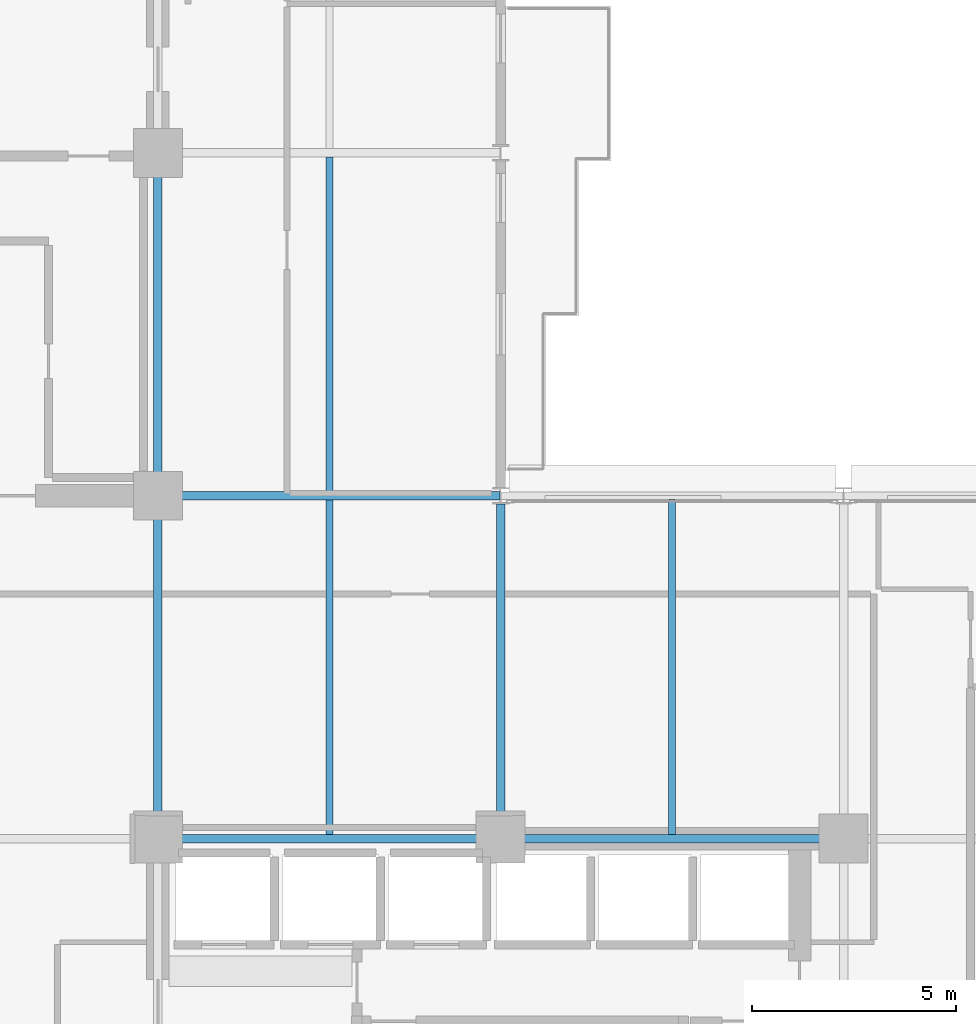
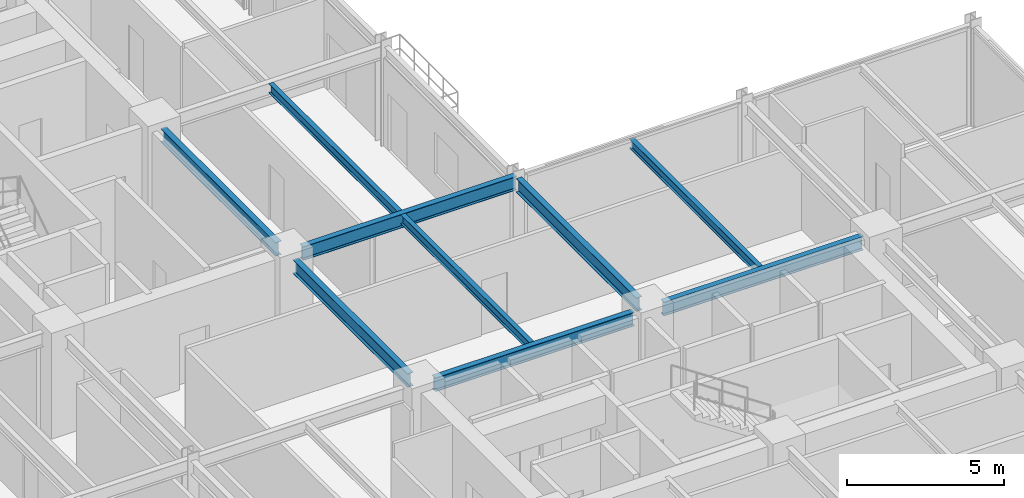
# One storey, part 11 of 30: 9 beams.
"""IFC4 building model written with IfcOpenShell, lengths in metres."""

from ifc_helpers import new_model, si_unit, direction, frame, origin, origin_2d, place, context, subcontext, project, spatial, i_section, extrude, material, material_profile, profile_set, type_object, element, save


model = new_model("IFC4")

# Units and contexts
model_context = context("Model", 3, precision=1e-05, world=origin(), true_north=direction((0.0, 1.0)))
body_context = subcontext(model_context, "Body", "Model", "MODEL_VIEW")
ifc_project = project(units=[si_unit("LENGTHUNIT", "METRE"), si_unit("AREAUNIT", "SQUARE_METRE"), si_unit("VOLUMEUNIT", "CUBIC_METRE"), si_unit("PLANEANGLEUNIT", "RADIAN"), si_unit("MASSUNIT", "GRAM", prefix="KILO")], contexts=[model_context])

# Site, building, storey
site_placement = place(None, origin())
site = spatial("IfcSite", under=ifc_project, at=site_placement, CompositionType="ELEMENT")
building_placement = place(site_placement, origin())
building = spatial("IfcBuilding", under=site, at=building_placement, Name="Nerrivon Quay Data Exchange", CompositionType="ELEMENT")
storey_placement = place(building_placement, frame((0.0, 0.0, 154.10009765625)))
storey = spatial("IfcBuildingStorey", under=building, at=storey_placement, Name="L36", CompositionType="ELEMENT", Elevation=154.10009765625)

# Beams
ifc_material = material(Name="Steel Grade 350", Category="steel")
ifc_material_profile_1 = material_profile(ifc_material, i_section(OverallWidth=0.208984375, OverallDepth=0.532958984375, WebThickness=0.01025390625, FlangeThickness=0.015625, FilletRadius=0.013916015625, at=origin_2d()), Name="530UB92.4")
ifc_profile_set_1 = profile_set([ifc_material_profile_1], Name="Steel Grade 350")
beam_type_1 = type_object("IfcBeamType", Name="BM-G3-530UB92", PredefinedType="BEAM", material=ifc_profile_set_1)
beam_1_placement = place(storey_placement, frame((17.340087890625, 16.800048828125, 3.558349609375), z_axis=(1.0, 0.0, 0.0), x_axis=(0.0, 1.0, 0.0)))
element("IfcBeam", 1, at=beam_1_placement, inside=storey, type_object=beam_type_1, Name="L36 EW Girder Y=16.8 (16.8..25.2)", PredefinedType="BEAM", context=body_context, shape_type="SweptSolid", body=[
    extrude(i_section(OverallWidth=0.208984375, OverallDepth=0.532958984375, WebThickness=0.01025390625, FlangeThickness=0.015625, FilletRadius=0.013916015625, at=origin_2d()), origin(), (0.0, 0.0, 1.0), 7.31982421875),
])
beam_2_placement = place(storey_placement, frame((25.739990234375, 16.800048828125, 3.558349609375), z_axis=(1.0, 0.0, 0.0), x_axis=(0.0, 1.0, 0.0)))
element("IfcBeam", 2, at=beam_2_placement, inside=storey, type_object=beam_type_1, Name="L36 EW Girder Y=16.8 (25.2..33.6)", PredefinedType="BEAM", context=body_context, shape_type="SweptSolid", body=[
    extrude(i_section(OverallWidth=0.208984375, OverallDepth=0.532958984375, WebThickness=0.01025390625, FlangeThickness=0.015625, FilletRadius=0.013916015625, at=origin_2d()), origin(), (0.0, 0.0, 1.0), 7.320068359375),
])
beam_3_placement = place(storey_placement, frame((17.340087890625, 25.199951171875, 3.558349609375), z_axis=(1.0, 0.0, 0.0), x_axis=(0.0, 1.0, 0.0)))
element("IfcBeam", 3, at=beam_3_placement, inside=storey, type_object=beam_type_1, Name="L36 EW Girder Y=25.2 (16.8..25.2)", PredefinedType="BEAM", context=body_context, shape_type="SweptSolid", body=[
    extrude(i_section(OverallWidth=0.208984375, OverallDepth=0.532958984375, WebThickness=0.01025390625, FlangeThickness=0.015625, FilletRadius=0.013916015625, at=origin_2d()), origin(), (0.0, 0.0, 1.0), 7.847412109375),
])
ifc_material_profile_2 = material_profile(ifc_material, i_section(OverallWidth=0.208984375, OverallDepth=0.528076171875, WebThickness=0.009521484375, FlangeThickness=0.01318359375, FilletRadius=0.013916015625, at=origin_2d()), Name="530UB82.0")
ifc_profile_set_2 = profile_set([ifc_material_profile_2], Name="Steel Grade 350")
beam_type_2 = type_object("IfcBeamType", Name="BM-G4-530UB82", PredefinedType="BEAM", material=ifc_profile_set_2)
beam_4_placement = place(storey_placement, frame((16.800048828125, 17.340087890625, 3.560791015625), z_axis=(0.0, 1.0, 0.0), x_axis=(-1.0, 0.0, 0.0)))
element("IfcBeam", 4, at=beam_4_placement, inside=storey, type_object=beam_type_2, Name="L36 NS Girder X=16.8 (16.8..25.2)", PredefinedType="BEAM", context=body_context, shape_type="SweptSolid", body=[
    extrude(i_section(OverallWidth=0.208984375, OverallDepth=0.528076171875, WebThickness=0.009521484375, FlangeThickness=0.01318359375, FilletRadius=0.013916015625, at=origin_2d()), origin(), (0.0, 0.0, 1.0), 7.31982421875),
])
beam_5_placement = place(storey_placement, frame((16.800048828125, 25.739990234375, 3.560791015625), z_axis=(0.0, 1.0, 0.0), x_axis=(-1.0, 0.0, 0.0)))
element("IfcBeam", 5, at=beam_5_placement, inside=storey, type_object=beam_type_2, Name="L36 NS Girder X=16.8 (25.2..33.6)", PredefinedType="BEAM", context=body_context, shape_type="SweptSolid", body=[
    extrude(i_section(OverallWidth=0.208984375, OverallDepth=0.528076171875, WebThickness=0.009521484375, FlangeThickness=0.01318359375, FilletRadius=0.013916015625, at=origin_2d()), origin(), (0.0, 0.0, 1.0), 7.320068359375),
])
beam_6_placement = place(storey_placement, frame((25.199951171875, 17.340087890625, 3.560791015625), z_axis=(0.0, 1.0, 0.0), x_axis=(-1.0, 0.0, 0.0)))
element("IfcBeam", 6, at=beam_6_placement, inside=storey, type_object=beam_type_2, Name="L36 NS Girder X=25.2 (16.8..25.2)", PredefinedType="BEAM", context=body_context, shape_type="SweptSolid", body=[
    extrude(i_section(OverallWidth=0.208984375, OverallDepth=0.528076171875, WebThickness=0.009521484375, FlangeThickness=0.01318359375, FilletRadius=0.013916015625, at=origin_2d()), origin(), (0.0, 0.0, 1.0), 7.659912109375),
])
ifc_material_profile_3 = material_profile(ifc_material, i_section(OverallWidth=0.1708984375, OverallDepth=0.35595703125, WebThickness=0.00732421875, FlangeThickness=0.011474609375, FilletRadius=0.011474609375, at=origin_2d()), Name="360UB50.7")
ifc_profile_set_3 = profile_set([ifc_material_profile_3], Name="Steel Grade 350")
beam_type_3 = type_object("IfcBeamType", Name="BM-J4-360UB51", PredefinedType="JOIST", material=ifc_profile_set_3)
beam_7_placement = place(storey_placement, frame((21.0, 16.904541015625, 3.64697265625), z_axis=(0.0, 1.0, 0.0), x_axis=(-1.0, 0.0, 0.0)))
element("IfcBeam", 7, at=beam_7_placement, inside=storey, type_object=beam_type_3, Name="L36 Secondary Joist X=21.0 (16.8..25.2)", PredefinedType="JOIST", context=body_context, shape_type="SweptSolid", body=[
    extrude(i_section(OverallWidth=0.1708984375, OverallDepth=0.35595703125, WebThickness=0.00732421875, FlangeThickness=0.011474609375, FilletRadius=0.011474609375, at=origin_2d()), origin(), (0.0, 0.0, 1.0), 8.19091796875),
])
beam_8_placement = place(storey_placement, frame((21.0, 25.304443359375, 3.64697265625), z_axis=(0.0, 1.0, 0.0), x_axis=(-1.0, 0.0, 0.0)))
element("IfcBeam", 8, at=beam_8_placement, inside=storey, type_object=beam_type_3, Name="L36 Secondary Joist X=21.0 (25.2..33.6)", PredefinedType="JOIST", context=body_context, shape_type="SweptSolid", body=[
    extrude(i_section(OverallWidth=0.1708984375, OverallDepth=0.35595703125, WebThickness=0.00732421875, FlangeThickness=0.011474609375, FilletRadius=0.011474609375, at=origin_2d()), origin(), (0.0, 0.0, 1.0), 8.191162109375),
])
beam_9_placement = place(storey_placement, frame((29.39990234375, 16.904541015625, 3.64697265625), z_axis=(0.0, 1.0, 0.0), x_axis=(-1.0, 0.0, 0.0)))
element("IfcBeam", 9, at=beam_9_placement, inside=storey, type_object=beam_type_3, Name="L36 Secondary Joist X=29.4 (16.8..25.2)", PredefinedType="JOIST", context=body_context, shape_type="SweptSolid", body=[
    extrude(i_section(OverallWidth=0.1708984375, OverallDepth=0.35595703125, WebThickness=0.00732421875, FlangeThickness=0.011474609375, FilletRadius=0.011474609375, at=origin_2d()), origin(), (0.0, 0.0, 1.0), 8.20654296875),
])

save(model, "model.ifc")
